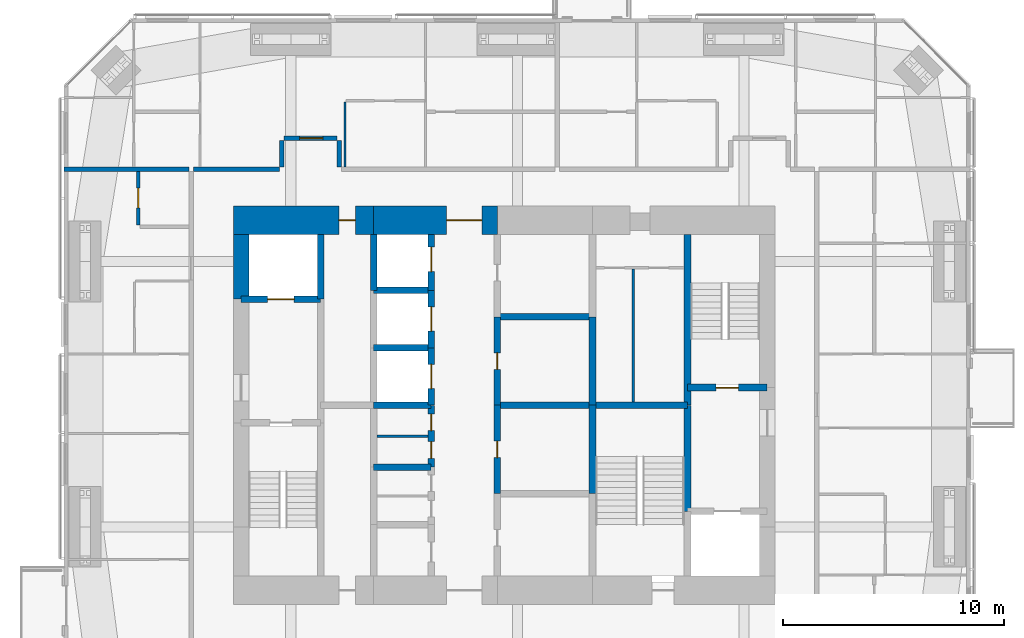
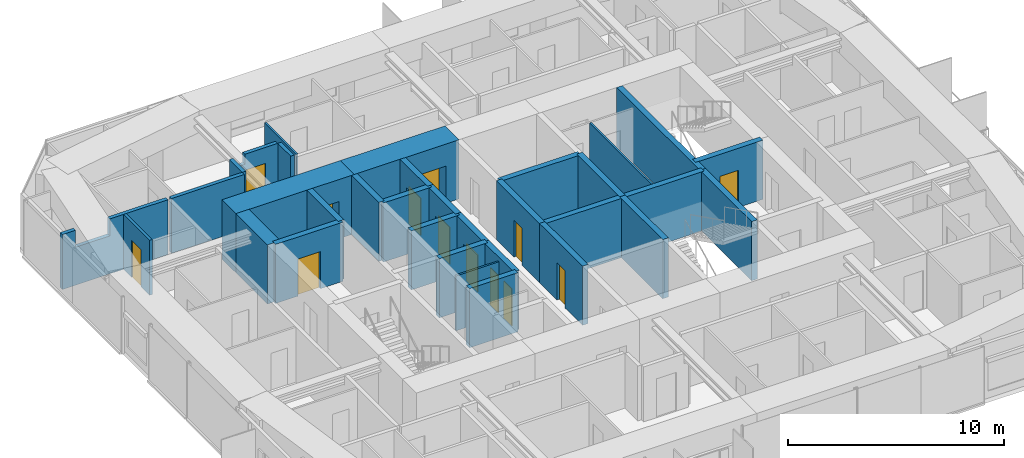
# One storey, part 18 of 23: 33 walls, 13 doors, 13 openings.
"""IFC4 building model written with IfcOpenShell, lengths in metres."""

from ifc_helpers import new_model, si_unit, direction, frame, frame_2d, origin, place, context, subcontext, project, spatial, polyline, rectangle, outline, extrude, material, layer, layer_set, constituent, constituent_set, type_object, element, fill, save


model = new_model("IFC4")

# Units and contexts
model_context = context("Model", 3, precision=1e-05, world=origin(), true_north=direction((0.0, 1.0)))
body_context = subcontext(model_context, "Body", "Model", "MODEL_VIEW")
ifc_project = project(units=[si_unit("LENGTHUNIT", "METRE"), si_unit("AREAUNIT", "SQUARE_METRE"), si_unit("VOLUMEUNIT", "CUBIC_METRE"), si_unit("PLANEANGLEUNIT", "RADIAN"), si_unit("MASSUNIT", "GRAM", prefix="KILO")], contexts=[model_context])

# Site, building, storey
site_placement = place(None, origin())
site = spatial("IfcSite", under=ifc_project, at=site_placement, CompositionType="ELEMENT")
building_placement = place(site_placement, origin())
building = spatial("IfcBuilding", under=site, at=building_placement, Name="Jalousie Tower", CompositionType="ELEMENT")
storey_placement = place(building_placement, frame((0.0, 0.0, 194.550048828125)))
storey = spatial("IfcBuildingStorey", under=building, at=storey_placement, Name="L53", CompositionType="ELEMENT", Elevation=194.550048828125)

# Wall, opening, door
ifc_material_1 = material(Name="Concrete block ASTM C90", Category="concrete")
ifc_constituent_1 = constituent(ifc_material_1, Name="Body")
ifc_material_2 = material(Name="Render")
ifc_constituent_2 = constituent(ifc_material_2, Name="Finish")
ifc_constituent_set_1 = constituent_set(constituents=[ifc_constituent_1, ifc_constituent_2])
wall_type_1 = type_object("IfcWallType", Name="BATHROOM WALL 150", PredefinedType="PLUMBINGWALL", material=ifc_constituent_set_1)
wall_1_placement = place(storey_placement, frame((15.35009765625, 26.64990234375, 0.0), z_axis=(0.0, 0.0, 1.0), x_axis=(0.0, 1.0, 0.0)))
wall_1 = element("IfcWall", 1, at=wall_1_placement, inside=storey, type_object=wall_type_1, Name="Bathroom Wall 150 L53", PredefinedType="PLUMBINGWALL", context=body_context, shape_type="SweptSolid", body=[
    extrude(rectangle(XDim=2.425048828125, YDim=0.14990234375, at=frame_2d((1.21240234375, 0.0))), origin(), (0.0, 0.0, 1.0), 3.10986328125),
])
opening_1_placement = place(wall_1_placement, frame((0.77490234375, 0.0, 0.0)))
opening_1 = element("IfcOpeningElement", 2, at=opening_1_placement, cuts=wall_1, Name="Opening D3", PredefinedType="OPENING", context=body_context, shape_type="SweptSolid", body=[
    extrude(rectangle(XDim=0.89990234375, YDim=2.10009765625, at=frame_2d((0.449951171875, 1.050048828125))), frame((0.0, 0.0849609375, 0.0), z_axis=(0.0, -1.0, 0.0), x_axis=(1.0, 0.0, 0.0)), (0.0, 0.0, 1.0), 0.169921875),
])
ifc_material_3 = material(Name="Timber door", Category="wood")
door_type_1 = type_object("IfcDoorType", Name="BATHROOM DOOR 900", OperationType="SINGLE_SWING_LEFT", PredefinedType="DOOR", material=ifc_material_3)
door_1_placement = place(opening_1_placement, frame((0.89990234375, 0.0, 0.0), z_axis=(0.0, 0.0, 1.0), x_axis=(-1.0, 0.0, 0.0)))
door_1 = element("IfcDoor", 3, at=door_1_placement, inside=storey, type_object=door_type_1, Name="Apartment 5306 bathroom door", OperationType="SINGLE_SWING_LEFT", OverallHeight=2.10009765625, OverallWidth=0.89990234375, PredefinedType="DOOR", context=body_context, shape_type="SweptSolid", body=[
    extrude(rectangle(XDim=0.89990234375, YDim=2.10009765625, at=frame_2d((0.449951171875, 1.050048828125))), frame((0.0, 0.02490234375, 0.0), z_axis=(0.0, -1.0, 0.0), x_axis=(1.0, 0.0, 0.0)), (0.0, 0.0, 1.0), 0.050048828125),
])
fill(opening_1, door_1)

ifc_material_4 = material(Name="Concrete f'c 120 MPa", Category="concrete")
ifc_layer_1 = layer(ifc_material_4, 1.300048828125)
ifc_layer_set_1 = layer_set([ifc_layer_1], Name="Concrete f'c 120 MPa")
wall_type_2 = type_object("IfcWallType", Name="CORE WALL 1300", PredefinedType="SHEAR", material=ifc_layer_set_1)
wall_2_placement = place(storey_placement, frame((31.60009765625, 26.875, 0.0), z_axis=(0.0, 0.0, 1.0), x_axis=(-1.0, 0.0, 0.0)))
wall_2 = element("IfcWall", 4, at=wall_2_placement, inside=storey, type_object=wall_type_2, Name="Core wall NC L53", PredefinedType="SHEAR", context=body_context, shape_type="SweptSolid", body=[
    extrude(rectangle(XDim=5.60009765625, YDim=1.300048828125, at=frame_2d((2.800048828125, 0.0))), origin(), (0.0, 0.0, 1.0), 3.349853515625),
])
opening_2_placement = place(wall_2_placement, frame((0.699951171875, 0.0, 0.0)))
opening_2 = element("IfcOpeningElement", 5, at=opening_2_placement, cuts=wall_2, Name="Opening D15", PredefinedType="OPENING", context=body_context, shape_type="SweptSolid", body=[
    extrude(rectangle(XDim=1.60009765625, YDim=2.10009765625, at=frame_2d((0.800048828125, 1.050048828125))), frame((0.0, 0.659912109375, 0.0), z_axis=(0.0, -1.0, 0.0), x_axis=(1.0, 0.0, 0.0)), (0.0, 0.0, 1.0), 1.320068359375),
])
ifc_material_5 = material(Name="Steel fire door", Category="steel")
door_type_2 = type_object("IfcDoorType", Name="LIFT LOBBY DOOR 1600", OperationType="DOUBLE_DOOR_SINGLE_SWING", PredefinedType="DOOR", material=ifc_material_5)
door_2_placement = place(opening_2_placement, origin())
door_2 = element("IfcDoor", 6, at=door_2_placement, inside=storey, type_object=door_type_2, Name="Lift lobby north door", OperationType="DOUBLE_DOOR_SINGLE_SWING", OverallHeight=2.10009765625, OverallWidth=1.60009765625, PredefinedType="DOOR", context=body_context, shape_type="SweptSolid", body=[
    extrude(rectangle(XDim=1.60009765625, YDim=2.10009765625, at=frame_2d((0.800048828125, 1.050048828125))), frame((0.0, 0.02490234375, 0.0), z_axis=(0.0, -1.0, 0.0), x_axis=(1.0, 0.0, 0.0)), (0.0, 0.0, 1.0), 0.050048828125),
])
fill(opening_2, door_2)

wall_3_placement = place(storey_placement, frame((26.0, 26.875, 0.0), z_axis=(0.0, 0.0, 1.0), x_axis=(-1.0, 0.0, 0.0)))
wall_3 = element("IfcWall", 7, at=wall_3_placement, inside=storey, type_object=wall_type_2, Name="Core wall ND L53", PredefinedType="SHEAR", context=body_context, shape_type="SweptSolid", body=[
    extrude(rectangle(XDim=6.35009765625, YDim=1.300048828125, at=frame_2d((3.175048828125, 0.0))), origin(), (0.0, 0.0, 1.0), 3.349853515625),
])
opening_3_placement = place(wall_3_placement, frame((0.824951171875, 0.0, 0.0)))
opening_3 = element("IfcOpeningElement", 8, at=opening_3_placement, cuts=wall_3, Name="Opening D16", PredefinedType="OPENING", context=body_context, shape_type="SweptSolid", body=[
    extrude(rectangle(XDim=0.75, YDim=2.10009765625, at=frame_2d((0.375, 1.050048828125))), frame((0.0, 0.659912109375, 0.0), z_axis=(0.0, -1.0, 0.0), x_axis=(1.0, 0.0, 0.0)), (0.0, 0.0, 1.0), 1.320068359375),
])
ifc_material_6 = material(Name="Steel fire door", Category="steel")
door_type_3 = type_object("IfcDoorType", Name="RISER DOOR 750", OperationType="SINGLE_SWING_LEFT", PredefinedType="DOOR", material=ifc_material_6)
door_3_placement = place(opening_3_placement, origin())
door_3 = element("IfcDoor", 9, at=door_3_placement, inside=storey, type_object=door_type_3, Name="North riser door", OperationType="SINGLE_SWING_RIGHT", OverallHeight=2.10009765625, OverallWidth=0.75, PredefinedType="DOOR", context=body_context, shape_type="SweptSolid", body=[
    extrude(rectangle(XDim=0.75, YDim=2.10009765625, at=frame_2d((0.375, 1.050048828125))), frame((0.0, 0.02490234375, 0.0), z_axis=(0.0, -1.0, 0.0), x_axis=(1.0, 0.0, 0.0)), (0.0, 0.0, 1.0), 0.050048828125),
])
fill(opening_3, door_3)

# Walls
ifc_material_7 = material(Name="Concrete f'c 120 MPa", Category="concrete")
ifc_layer_2 = layer(ifc_material_7, 0.300048828125)
ifc_layer_set_2 = layer_set([ifc_layer_2], Name="Concrete f'c 120 MPa")
wall_type_3 = type_object("IfcWallType", Name="CORE WALL 300", PredefinedType="SHEAR", material=ifc_layer_set_2)
wall_4_placement = place(storey_placement, frame((23.60009765625, 23.300048828125, 0.0), z_axis=(0.0, 0.0, 1.0), x_axis=(0.0, 1.0, 0.0)))
element("IfcWall", 10, at=wall_4_placement, inside=storey, type_object=wall_type_3, Name="Core wall X23.6C L53", PredefinedType="SHEAR", context=body_context, shape_type="SweptSolid", body=[
    extrude(rectangle(XDim=2.925048828125, YDim=0.300048828125, at=frame_2d((1.46240234375, 0.0))), origin(), (0.0, 0.0, 1.0), 3.349853515625),
])
wall_5_placement = place(storey_placement, frame((26.0, 23.699951171875, 0.0), z_axis=(0.0, 0.0, 1.0), x_axis=(0.0, 1.0, 0.0)))
element("IfcWall", 11, at=wall_5_placement, inside=storey, type_object=wall_type_3, Name="Core wall X26F L53", PredefinedType="SHEAR", context=body_context, shape_type="SweptSolid", body=[
    extrude(rectangle(XDim=2.525146484375, YDim=0.300048828125, at=frame_2d((1.2626953125, 0.0))), origin(), (0.0, 0.0, 1.0), 3.349853515625),
])

# Wall, openings, doors
wall_6_placement = place(storey_placement, frame((28.60009765625, 15.699951171875, 0.0), z_axis=(0.0, 0.0, 1.0), x_axis=(0.0, 1.0, 0.0)))
wall_6 = element("IfcWall", 12, at=wall_6_placement, inside=storey, type_object=wall_type_3, Name="Core wall X28.6C L53", PredefinedType="SHEAR", context=body_context, shape_type="SweptSolid", body=[
    extrude(rectangle(XDim=2.800048828125, YDim=0.300048828125, at=frame_2d((1.39990234375, 0.0))), origin(), (0.0, 0.0, 1.0), 3.349853515625),
])
opening_4_placement = place(wall_6_placement, frame((0.39990234375, 0.0, 0.0)))
opening_4 = element("IfcOpeningElement", 13, at=opening_4_placement, cuts=wall_6, Name="Opening D27", PredefinedType="OPENING", context=body_context, shape_type="SweptSolid", body=[
    extrude(rectangle(XDim=0.75, YDim=2.10009765625, at=frame_2d((0.375, 1.050048828125))), frame((0.0, 0.159912109375, 0.0), z_axis=(0.0, -1.0, 0.0), x_axis=(1.0, 0.0, 0.0)), (0.0, 0.0, 1.0), 0.320068359375),
])
opening_5_placement = place(wall_6_placement, frame((1.64990234375, 0.0, 0.0)))
opening_5 = element("IfcOpeningElement", 14, at=opening_5_placement, cuts=wall_6, Name="Opening D27", PredefinedType="OPENING", context=body_context, shape_type="SweptSolid", body=[
    extrude(rectangle(XDim=0.75, YDim=2.10009765625, at=frame_2d((0.375, 1.050048828125))), frame((0.0, 0.159912109375, 0.0), z_axis=(0.0, -1.0, 0.0), x_axis=(1.0, 0.0, 0.0)), (0.0, 0.0, 1.0), 0.320068359375),
])
ifc_material_8 = material(Name="Steel fire door", Category="steel")
door_type_4 = type_object("IfcDoorType", Name="CORE ROOM DOOR 750", OperationType="SINGLE_SWING_LEFT", PredefinedType="DOOR", material=ifc_material_8)
door_4_placement = place(opening_4_placement, origin())
door_4 = element("IfcDoor", 15, at=door_4_placement, inside=storey, type_object=door_type_4, Name="Linen store door", OperationType="SINGLE_SWING_RIGHT", OverallHeight=2.10009765625, OverallWidth=0.75, PredefinedType="DOOR", context=body_context, shape_type="SweptSolid", body=[
    extrude(rectangle(XDim=0.75, YDim=2.10009765625, at=frame_2d((0.375, 1.050048828125))), frame((0.0, 0.02490234375, 0.0), z_axis=(0.0, -1.0, 0.0), x_axis=(1.0, 0.0, 0.0)), (0.0, 0.0, 1.0), 0.050048828125),
])
fill(opening_4, door_4)
door_5_placement = place(opening_5_placement, origin())
door_5 = element("IfcDoor", 16, at=door_5_placement, inside=storey, type_object=door_type_4, Name="Staff WC door", OperationType="SINGLE_SWING_LEFT", OverallHeight=2.10009765625, OverallWidth=0.75, PredefinedType="DOOR", context=body_context, shape_type="SweptSolid", body=[
    extrude(rectangle(XDim=0.75, YDim=2.10009765625, at=frame_2d((0.375, 1.050048828125))), frame((0.0, 0.02490234375, 0.0), z_axis=(0.0, -1.0, 0.0), x_axis=(1.0, 0.0, 0.0)), (0.0, 0.0, 1.0), 0.050048828125),
])
fill(opening_5, door_5)

# Wall, opening, door
wall_7_placement = place(storey_placement, frame((28.60009765625, 18.5, 0.0), z_axis=(0.0, 0.0, 1.0), x_axis=(0.0, 1.0, 0.0)))
wall_7 = element("IfcWall", 17, at=wall_7_placement, inside=storey, type_object=wall_type_3, Name="Core wall X28.6D L53", PredefinedType="SHEAR", context=body_context, shape_type="SweptSolid", body=[
    extrude(rectangle(XDim=2.60009765625, YDim=0.300048828125, at=frame_2d((1.300048828125, 0.0))), origin(), (0.0, 0.0, 1.0), 3.349853515625),
])
opening_6_placement = place(wall_7_placement, frame((0.75, 0.0, 0.0)))
opening_6 = element("IfcOpeningElement", 18, at=opening_6_placement, cuts=wall_7, Name="Opening LD1", PredefinedType="OPENING", context=body_context, shape_type="SweptSolid", body=[
    extrude(rectangle(XDim=1.10009765625, YDim=2.10009765625, at=frame_2d((0.550048828125, 1.050048828125))), frame((0.0, 0.159912109375, 0.0), z_axis=(0.0, -1.0, 0.0), x_axis=(1.0, 0.0, 0.0)), (0.0, 0.0, 1.0), 0.320068359375),
])
ifc_material_9 = material(Name="Steel lift landing door", Category="steel")
door_type_5 = type_object("IfcDoorType", Name="LIFT LANDING DOOR 1100", OperationType="SLIDING_TO_LEFT", PredefinedType="DOOR", material=ifc_material_9)
door_6_placement = place(opening_6_placement, origin())
door_6 = element("IfcDoor", 19, at=door_6_placement, inside=storey, type_object=door_type_5, Name="Lift P4 landing door", OperationType="SLIDING_TO_LEFT", OverallHeight=2.10009765625, OverallWidth=1.10009765625, PredefinedType="DOOR", context=body_context, shape_type="SweptSolid", body=[
    extrude(rectangle(XDim=1.10009765625, YDim=2.10009765625, at=frame_2d((0.550048828125, 1.050048828125))), frame((0.0, 0.02490234375, 0.0), z_axis=(0.0, -1.0, 0.0), x_axis=(1.0, 0.0, 0.0)), (0.0, 0.0, 1.0), 0.050048828125),
])
fill(opening_6, door_6)

wall_8_placement = place(storey_placement, frame((28.60009765625, 21.10009765625, 0.0), z_axis=(0.0, 0.0, 1.0), x_axis=(0.0, 1.0, 0.0)))
wall_8 = element("IfcWall", 20, at=wall_8_placement, inside=storey, type_object=wall_type_3, Name="Core wall X28.6E L53", PredefinedType="SHEAR", context=body_context, shape_type="SweptSolid", body=[
    extrude(rectangle(XDim=2.599853515625, YDim=0.300048828125, at=frame_2d((1.2998046875, 0.0))), origin(), (0.0, 0.0, 1.0), 3.349853515625),
])
opening_7_placement = place(wall_8_placement, frame((0.75, 0.0, 0.0)))
opening_7 = element("IfcOpeningElement", 21, at=opening_7_placement, cuts=wall_8, Name="Opening LD1", PredefinedType="OPENING", context=body_context, shape_type="SweptSolid", body=[
    extrude(rectangle(XDim=1.10009765625, YDim=2.10009765625, at=frame_2d((0.550048828125, 1.050048828125))), frame((0.0, 0.159912109375, 0.0), z_axis=(0.0, -1.0, 0.0), x_axis=(1.0, 0.0, 0.0)), (0.0, 0.0, 1.0), 0.320068359375),
])
door_7_placement = place(opening_7_placement, origin())
door_7 = element("IfcDoor", 22, at=door_7_placement, inside=storey, type_object=door_type_5, Name="Lift P5 landing door", OperationType="SLIDING_TO_LEFT", OverallHeight=2.10009765625, OverallWidth=1.10009765625, PredefinedType="DOOR", context=body_context, shape_type="SweptSolid", body=[
    extrude(rectangle(XDim=1.10009765625, YDim=2.10009765625, at=frame_2d((0.550048828125, 1.050048828125))), frame((0.0, 0.02490234375, 0.0), z_axis=(0.0, -1.0, 0.0), x_axis=(1.0, 0.0, 0.0)), (0.0, 0.0, 1.0), 0.050048828125),
])
fill(opening_7, door_7)

wall_9_placement = place(storey_placement, frame((28.60009765625, 23.699951171875, 0.0), z_axis=(0.0, 0.0, 1.0), x_axis=(0.0, 1.0, 0.0)))
wall_9 = element("IfcWall", 23, at=wall_9_placement, inside=storey, type_object=wall_type_3, Name="Core wall X28.6F L53", PredefinedType="SHEAR", context=body_context, shape_type="SweptSolid", body=[
    extrude(rectangle(XDim=2.525146484375, YDim=0.300048828125, at=frame_2d((1.2626953125, 0.0))), origin(), (0.0, 0.0, 1.0), 3.349853515625),
])
opening_8_placement = place(wall_9_placement, frame((0.85009765625, 0.0, 0.0)))
opening_8 = element("IfcOpeningElement", 24, at=opening_8_placement, cuts=wall_9, Name="Opening LD1", PredefinedType="OPENING", context=body_context, shape_type="SweptSolid", body=[
    extrude(rectangle(XDim=1.10009765625, YDim=2.10009765625, at=frame_2d((0.550048828125, 1.050048828125))), frame((0.0, 0.159912109375, 0.0), z_axis=(0.0, -1.0, 0.0), x_axis=(1.0, 0.0, 0.0)), (0.0, 0.0, 1.0), 0.320068359375),
])
door_8_placement = place(opening_8_placement, origin())
door_8 = element("IfcDoor", 25, at=door_8_placement, inside=storey, type_object=door_type_5, Name="Lift P6 landing door", OperationType="SLIDING_TO_LEFT", OverallHeight=2.10009765625, OverallWidth=1.10009765625, PredefinedType="DOOR", context=body_context, shape_type="SweptSolid", body=[
    extrude(rectangle(XDim=1.10009765625, YDim=2.10009765625, at=frame_2d((0.550048828125, 1.050048828125))), frame((0.0, 0.02490234375, 0.0), z_axis=(0.0, -1.0, 0.0), x_axis=(1.0, 0.0, 0.0)), (0.0, 0.0, 1.0), 0.050048828125),
])
fill(opening_8, door_8)

wall_10_placement = place(storey_placement, frame((31.60009765625, 14.5, 0.0), z_axis=(0.0, 0.0, 1.0), x_axis=(0.0, 1.0, 0.0)))
wall_10 = element("IfcWall", 26, at=wall_10_placement, inside=storey, type_object=wall_type_3, Name="Core wall X31.6B L53", PredefinedType="SHEAR", context=body_context, shape_type="SweptSolid", body=[
    extrude(rectangle(XDim=4.0, YDim=0.300048828125, at=frame_2d((2.0, 0.0))), origin(), (0.0, 0.0, 1.0), 3.349853515625),
])
opening_9_placement = place(wall_10_placement, frame((1.625, 0.0, 0.0)))
opening_9 = element("IfcOpeningElement", 27, at=opening_9_placement, cuts=wall_10, Name="Opening D16", PredefinedType="OPENING", context=body_context, shape_type="SweptSolid", body=[
    extrude(rectangle(XDim=0.75, YDim=2.10009765625, at=frame_2d((0.375, 1.050048828125))), frame((0.0, 0.159912109375, 0.0), z_axis=(0.0, -1.0, 0.0), x_axis=(1.0, 0.0, 0.0)), (0.0, 0.0, 1.0), 0.320068359375),
])
door_9_placement = place(opening_9_placement, frame((0.75, 0.0, 0.0), z_axis=(0.0, 0.0, 1.0), x_axis=(-1.0, 0.0, 0.0)))
door_9 = element("IfcDoor", 28, at=door_9_placement, inside=storey, type_object=door_type_3, Name="Electrical Room door", OperationType="SINGLE_SWING_RIGHT", OverallHeight=2.10009765625, OverallWidth=0.75, PredefinedType="DOOR", context=body_context, shape_type="SweptSolid", body=[
    extrude(rectangle(XDim=0.75, YDim=2.10009765625, at=frame_2d((0.375, 1.050048828125))), frame((0.0, 0.02490234375, 0.0), z_axis=(0.0, -1.0, 0.0), x_axis=(1.0, 0.0, 0.0)), (0.0, 0.0, 1.0), 0.050048828125),
])
fill(opening_9, door_9)

wall_11_placement = place(storey_placement, frame((31.60009765625, 18.5, 0.0), z_axis=(0.0, 0.0, 1.0), x_axis=(0.0, 1.0, 0.0)))
wall_11 = element("IfcWall", 29, at=wall_11_placement, inside=storey, type_object=wall_type_3, Name="Core wall X31.6C L53", PredefinedType="SHEAR", context=body_context, shape_type="SweptSolid", body=[
    extrude(rectangle(XDim=4.0, YDim=0.300048828125, at=frame_2d((2.0, 0.0))), origin(), (0.0, 0.0, 1.0), 3.349853515625),
])
opening_10_placement = place(wall_11_placement, frame((1.625, 0.0, 0.0)))
opening_10 = element("IfcOpeningElement", 30, at=opening_10_placement, cuts=wall_11, Name="Opening D16", PredefinedType="OPENING", context=body_context, shape_type="SweptSolid", body=[
    extrude(rectangle(XDim=0.75, YDim=2.10009765625, at=frame_2d((0.375, 1.050048828125))), frame((0.0, 0.159912109375, 0.0), z_axis=(0.0, -1.0, 0.0), x_axis=(1.0, 0.0, 0.0)), (0.0, 0.0, 1.0), 0.320068359375),
])
door_10_placement = place(opening_10_placement, frame((0.75, 0.0, 0.0), z_axis=(0.0, 0.0, 1.0), x_axis=(-1.0, 0.0, 0.0)))
door_10 = element("IfcDoor", 31, at=door_10_placement, inside=storey, type_object=door_type_3, Name="Telecom Room door", OperationType="SINGLE_SWING_RIGHT", OverallHeight=2.10009765625, OverallWidth=0.75, PredefinedType="DOOR", context=body_context, shape_type="SweptSolid", body=[
    extrude(rectangle(XDim=0.75, YDim=2.10009765625, at=frame_2d((0.375, 1.050048828125))), frame((0.0, 0.02490234375, 0.0), z_axis=(0.0, -1.0, 0.0), x_axis=(1.0, 0.0, 0.0)), (0.0, 0.0, 1.0), 0.050048828125),
])
fill(opening_10, door_10)

# Walls
for number, where, z_axis, x_axis, name in (
    (32, (35.89990234375, 14.5, 0.0), (0.0, 0.0, 1.0), (0.0, 1.0, 0.0), "Core wall X35.9B L53"),
    (33, (35.89990234375, 18.5, 0.0), (0.0, 0.0, 1.0), (0.0, 1.0, 0.0), "Core wall X35.9C L53"),
):
    element("IfcWall", number, at=place(storey_placement, frame(where, z_axis=z_axis, x_axis=x_axis)), inside=storey, type_object=wall_type_3, Name=name, PredefinedType="SHEAR", context=body_context, shape_type="SweptSolid", body=[
        extrude(rectangle(XDim=4.0, YDim=0.300048828125, at=frame_2d((2.0, 0.0))), origin(), (0.0, 0.0, 1.0), 3.349853515625),
    ])
wall_12_placement = place(storey_placement, frame((40.199951171875, 13.699951171875, 0.0), z_axis=(0.0, 0.0, 1.0), x_axis=(0.0, 1.0, 0.0)))
element("IfcWall", 34, at=wall_12_placement, inside=storey, type_object=wall_type_3, Name="Core wall X40.2B L53", PredefinedType="SHEAR", context=body_context, shape_type="SweptSolid", body=[
    extrude(rectangle(XDim=4.800048828125, YDim=0.300048828125, at=frame_2d((2.39990234375, 0.0))), origin(), (0.0, 0.0, 1.0), 3.349853515625),
])
wall_13_placement = place(storey_placement, frame((40.199951171875, 18.5, 0.0), z_axis=(0.0, 0.0, 1.0), x_axis=(0.0, 1.0, 0.0)))
element("IfcWall", 35, at=wall_13_placement, inside=storey, type_object=wall_type_3, Name="Core wall X40.2C L53", PredefinedType="SHEAR", context=body_context, shape_type="SweptSolid", body=[
    extrude(rectangle(XDim=7.72509765625, YDim=0.300048828125, at=frame_2d((3.862548828125, 0.0))), origin(), (0.0, 0.0, 1.0), 3.349853515625),
])

# Wall, opening, door
wall_14_placement = place(storey_placement, frame((20.0, 23.300048828125, 0.0), z_axis=(0.0, 0.0, 1.0), x_axis=(1.0, 0.0, 0.0)))
wall_14 = element("IfcWall", 36, at=wall_14_placement, inside=storey, type_object=wall_type_3, Name="Core wall Y20-23.3 L53", PredefinedType="SHEAR", context=body_context, shape_type="SweptSolid", body=[
    extrude(rectangle(XDim=3.60009765625, YDim=0.300048828125, at=frame_2d((1.800048828125, 0.0))), origin(), (0.0, 0.0, 1.0), 3.349853515625),
])
opening_11_placement = place(wall_14_placement, frame((1.199951171875, 0.0, 0.0)))
opening_11 = element("IfcOpeningElement", 37, at=opening_11_placement, cuts=wall_14, Name="Opening LD2", PredefinedType="OPENING", context=body_context, shape_type="SweptSolid", body=[
    extrude(rectangle(XDim=1.199951171875, YDim=2.10009765625, at=frame_2d((0.60009765625, 1.050048828125))), frame((0.0, 0.159912109375, 0.0), z_axis=(0.0, -1.0, 0.0), x_axis=(1.0, 0.0, 0.0)), (0.0, 0.0, 1.0), 0.320068359375),
])
ifc_material_10 = material(Name="Steel lift landing door", Category="steel")
door_type_6 = type_object("IfcDoorType", Name="LIFT LANDING DOOR 1200", OperationType="SLIDING_TO_LEFT", PredefinedType="DOOR", material=ifc_material_10)
door_11_placement = place(opening_11_placement, origin())
door_11 = element("IfcDoor", 38, at=door_11_placement, inside=storey, type_object=door_type_6, Name="Lift F1 landing door", OperationType="SLIDING_TO_LEFT", OverallHeight=2.10009765625, OverallWidth=1.199951171875, PredefinedType="DOOR", context=body_context, shape_type="SweptSolid", body=[
    extrude(rectangle(XDim=1.199951171875, YDim=2.10009765625, at=frame_2d((0.60009765625, 1.050048828125))), frame((0.0, 0.02490234375, 0.0), z_axis=(0.0, -1.0, 0.0), x_axis=(1.0, 0.0, 0.0)), (0.0, 0.0, 1.0), 0.050048828125),
])
fill(opening_11, door_11)

# Walls
for number, where, z_axis, x_axis, name in (
    (39, (26.0, 15.699951171875, 0.0), (0.0, 0.0, 1.0), (1.0, 0.0, 0.0), "Core wall Y26-15.7 L53"),
    (40, (26.0, 18.5, 0.0), (0.0, 0.0, 1.0), (1.0, 0.0, 0.0), "Core wall Y26-18.5 L53"),
    (41, (26.0, 21.10009765625, 0.0), (0.0, 0.0, 1.0), (1.0, 0.0, 0.0), "Core wall Y26-21.1 L53"),
    (42, (26.0, 23.699951171875, 0.0), (0.0, 0.0, 1.0), (1.0, 0.0, 0.0), "Core wall Y26-23.7 L53"),
):
    element("IfcWall", number, at=place(storey_placement, frame(where, z_axis=z_axis, x_axis=x_axis)), inside=storey, type_object=wall_type_3, Name=name, PredefinedType="SHEAR", context=body_context, shape_type="SweptSolid", body=[
        extrude(rectangle(XDim=2.60009765625, YDim=0.300048828125, at=frame_2d((1.300048828125, 0.0))), origin(), (0.0, 0.0, 1.0), 3.349853515625),
    ])
for number, where, z_axis, x_axis, name in (
    (43, (31.60009765625, 18.5, 0.0), (0.0, 0.0, 1.0), (1.0, 0.0, 0.0), "Core wall Y31.6-18.5 L53"),
    (44, (31.60009765625, 22.5, 0.0), (0.0, 0.0, 1.0), (1.0, 0.0, 0.0), "Core wall Y31.6-22.5 L53"),
):
    element("IfcWall", number, at=place(storey_placement, frame(where, z_axis=z_axis, x_axis=x_axis)), inside=storey, type_object=wall_type_3, Name=name, PredefinedType="SHEAR", context=body_context, shape_type="SweptSolid", body=[
        extrude(rectangle(XDim=4.2998046875, YDim=0.300048828125, at=frame_2d((2.14990234375, 0.0))), origin(), (0.0, 0.0, 1.0), 3.349853515625),
    ])
wall_15_placement = place(storey_placement, frame((35.89990234375, 18.5, 0.0), z_axis=(0.0, 0.0, 1.0), x_axis=(1.0, 0.0, 0.0)))
element("IfcWall", 45, at=wall_15_placement, inside=storey, type_object=wall_type_3, Name="Core wall Y35.9-18.5 L53", PredefinedType="SHEAR", context=body_context, shape_type="SweptSolid", body=[
    extrude(rectangle(XDim=4.300048828125, YDim=0.300048828125, at=frame_2d((2.14990234375, 0.0))), origin(), (0.0, 0.0, 1.0), 3.349853515625),
])

# Wall, opening, door
wall_16_placement = place(storey_placement, frame((40.199951171875, 19.300048828125, 0.0), z_axis=(0.0, 0.0, 1.0), x_axis=(1.0, 0.0, 0.0)))
wall_16 = element("IfcWall", 46, at=wall_16_placement, inside=storey, type_object=wall_type_3, Name="Core wall Y40.2-19.3 L53", PredefinedType="SHEAR", context=body_context, shape_type="SweptSolid", body=[
    extrude(rectangle(XDim=3.60009765625, YDim=0.300048828125, at=frame_2d((1.800048828125, 0.0))), origin(), (0.0, 0.0, 1.0), 3.349853515625),
])
opening_12_placement = place(wall_16_placement, frame((1.300048828125, 0.0, 0.0)))
opening_12 = element("IfcOpeningElement", 47, at=opening_12_placement, cuts=wall_16, Name="Opening D10", PredefinedType="OPENING", context=body_context, shape_type="SweptSolid", body=[
    extrude(rectangle(XDim=1.0, YDim=2.10009765625, at=frame_2d((0.5, 1.050048828125))), frame((0.0, 0.159912109375, 0.0), z_axis=(0.0, -1.0, 0.0), x_axis=(1.0, 0.0, 0.0)), (0.0, 0.0, 1.0), 0.320068359375),
])
ifc_material_11 = material(Name="Steel fire door", Category="steel")
door_type_7 = type_object("IfcDoorType", Name="STAIR DOOR 1000", OperationType="SINGLE_SWING_LEFT", PredefinedType="DOOR", material=ifc_material_11)
door_12_placement = place(opening_12_placement, origin())
door_12 = element("IfcDoor", 48, at=door_12_placement, inside=storey, type_object=door_type_7, Name="Exit stair B door", OperationType="SINGLE_SWING_RIGHT", OverallHeight=2.10009765625, OverallWidth=1.0, PredefinedType="DOOR", context=body_context, shape_type="SweptSolid", body=[
    extrude(rectangle(XDim=1.0, YDim=2.10009765625, at=frame_2d((0.5, 1.050048828125))), frame((0.0, 0.02490234375, 0.0), z_axis=(0.0, -1.0, 0.0), x_axis=(1.0, 0.0, 0.0)), (0.0, 0.0, 1.0), 0.050048828125),
])
fill(opening_12, door_12)

# Walls
ifc_material_12 = material(Name="Concrete f'c 120 MPa", Category="concrete")
ifc_layer_3 = layer(ifc_material_12, 0.699951171875)
ifc_layer_set_3 = layer_set([ifc_layer_3], Name="Concrete f'c 120 MPa")
wall_type_4 = type_object("IfcWallType", Name="CORE WALL 700", PredefinedType="SHEAR", material=ifc_layer_set_3)
wall_17_placement = place(storey_placement, frame((20.0, 26.22509765625, 0.0), z_axis=(0.0, 0.0, 1.0), x_axis=(0.0, -1.0, 0.0)))
element("IfcWall", 49, at=wall_17_placement, inside=storey, type_object=wall_type_4, Name="Core wall WA L53", PredefinedType="SHEAR", context=body_context, shape_type="SweptSolid", body=[
    extrude(rectangle(XDim=2.925048828125, YDim=0.699951171875, at=frame_2d((1.46240234375, 0.0))), origin(), (0.0, 0.0, 1.0), 3.349853515625),
])
ifc_material_13 = material(Name="Concrete block ASTM C90", Category="concrete")
ifc_constituent_3 = constituent(ifc_material_13, Name="Body")
ifc_material_14 = material(Name="Render")
ifc_constituent_4 = constituent(ifc_material_14, Name="Finish")
ifc_constituent_set_2 = constituent_set(constituents=[ifc_constituent_3, ifc_constituent_4])
wall_type_5 = type_object("IfcWallType", Name="CORRIDOR WALL 200", PredefinedType="PARTITIONING", material=ifc_constituent_set_2)
wall_18_placement = place(storey_placement, frame((17.85009765625, 29.175048828125, 0.0), z_axis=(0.0, 0.0, 1.0), x_axis=(1.0, 0.0, 0.0)))
element("IfcWall", 50, at=wall_18_placement, inside=storey, type_object=wall_type_5, Name="Corridor Wall 200 L53", PredefinedType="PARTITIONING", context=body_context, shape_type="SweptSolid", body=[
    extrude(rectangle(XDim=3.89990234375, YDim=0.199951171875, at=frame_2d((1.949951171875, 0.0))), origin(), (0.0, 0.0, 1.0), 3.10986328125),
])

# Wall, opening, door
wall_19_placement = place(storey_placement, frame((21.949951171875, 30.574951171875, 0.0), z_axis=(0.0, 0.0, 1.0), x_axis=(1.0, 0.0, 0.0)))
wall_19 = element("IfcWall", 51, at=wall_19_placement, inside=storey, type_object=wall_type_5, Name="Corridor Wall 200 L53", PredefinedType="PARTITIONING", context=body_context, shape_type="SweptSolid", body=[
    extrude(outline(polyline([(0.0, 0.0), (2.400146484375, 0.0), (2.39990234375, 3.10986328125), (0.63720703125, 3.10986328125), (0.63720703125, 2.541015625), (0.0, 2.541015625), (0.0, 3.10986328125), (0.0, 0.0)])), frame((0.0, 0.10009765625, 0.0), z_axis=(0.0, -1.0, 0.0), x_axis=(1.0, 0.0, 0.0)), (0.0, 0.0, 1.0), 0.199951171875),
])
opening_13_placement = place(wall_19_placement, frame((0.699951171875, 0.0, 0.0)))
opening_13 = element("IfcOpeningElement", 52, at=opening_13_placement, cuts=wall_19, Name="Opening D1", PredefinedType="OPENING", context=body_context, shape_type="SweptSolid", body=[
    extrude(rectangle(XDim=1.050048828125, YDim=2.199951171875, at=frame_2d((0.52490234375, 1.10009765625))), frame((0.0, 0.10986328125, 0.0), z_axis=(0.0, -1.0, 0.0), x_axis=(1.0, 0.0, 0.0)), (0.0, 0.0, 1.0), 0.219970703125),
])
ifc_material_15 = material(Name="Timber fire door", Category="wood")
door_type_8 = type_object("IfcDoorType", Name="APARTMENT ENTRANCE DOOR 1050", OperationType="SINGLE_SWING_LEFT", PredefinedType="DOOR", material=ifc_material_15)
door_13_placement = place(opening_13_placement, origin())
door_13 = element("IfcDoor", 53, at=door_13_placement, inside=storey, type_object=door_type_8, Name="Apartment 5304 entrance", OperationType="SINGLE_SWING_RIGHT", OverallHeight=2.199951171875, OverallWidth=1.050048828125, PredefinedType="DOOR", context=body_context, shape_type="SweptSolid", body=[
    extrude(rectangle(XDim=1.050048828125, YDim=2.199951171875, at=frame_2d((0.52490234375, 1.10009765625))), frame((0.0, 0.02490234375, 0.0), z_axis=(0.0, -1.0, 0.0), x_axis=(1.0, 0.0, 0.0)), (0.0, 0.0, 1.0), 0.050048828125),
])
fill(opening_13, door_13)

# Walls
for number, where, z_axis, x_axis, name in (
    (54, (21.85009765625, 29.27490234375, 0.0), (0.0, 0.0, 1.0), (0.0, 1.0, 0.0), "Corridor Wall 200 L53"),
    (55, (24.449951171875, 29.27490234375, 0.0), (0.0, 0.0, 1.0), (0.0, 1.0, 0.0), "Corridor Wall 200 L53"),
):
    element("IfcWall", number, at=place(storey_placement, frame(where, z_axis=z_axis, x_axis=x_axis)), inside=storey, type_object=wall_type_5, Name=name, PredefinedType="PARTITIONING", context=body_context, shape_type="SweptSolid", body=[
        extrude(rectangle(XDim=1.2001953125, YDim=0.199951171875, at=frame_2d((0.60009765625, 0.0))), origin(), (0.0, 0.0, 1.0), 3.10986328125),
    ])
ifc_material_16 = material(Name="Gypsum board", Category="gypsum")
ifc_constituent_5 = constituent(ifc_material_16, Name="Body")
ifc_material_17 = material(Name="Light-gauge steel studs ASTM A653 SS Grade 33", Category="steel")
ifc_constituent_6 = constituent(ifc_material_17, Name="Framing")
ifc_constituent_set_3 = constituent_set(constituents=[ifc_constituent_5, ifc_constituent_6])
wall_type_6 = type_object("IfcWallType", Name="PARTITION 100", PredefinedType="PARTITIONING", material=ifc_constituent_set_3)
wall_20_placement = place(storey_placement, frame((24.699951171875, 32.22509765625, 0.0), z_axis=(0.0, 0.0, 1.0), x_axis=(0.0, -1.0, 0.0)))
element("IfcWall", 56, at=wall_20_placement, inside=storey, type_object=wall_type_6, Name="Partition 100 L53", PredefinedType="PARTITIONING", context=body_context, shape_type="SweptSolid", body=[
    extrude(rectangle(XDim=2.9501953125, YDim=0.10009765625, at=frame_2d((1.47509765625, 0.0))), origin(), (0.0, 0.0, 1.0), 3.10986328125),
])
wall_21_placement = place(storey_placement, frame((37.75, 18.64990234375, 0.0), z_axis=(0.0, 0.0, 1.0), x_axis=(0.0, 1.0, 0.0)))
element("IfcWall", 57, at=wall_21_placement, inside=storey, type_object=wall_type_6, Name="Partition 100 L53", PredefinedType="PARTITIONING", context=body_context, shape_type="SweptSolid", body=[
    extrude(rectangle(XDim=6.025146484375, YDim=0.10009765625, at=frame_2d((3.0126953125, 0.0))), origin(), (0.0, 0.0, 1.0), 3.10986328125),
])
wall_22_placement = place(storey_placement, frame((26.14990234375, 17.10009765625, 0.0), z_axis=(0.0, 0.0, 1.0), x_axis=(1.0, 0.0, 0.0)))
element("IfcWall", 58, at=wall_22_placement, inside=storey, type_object=wall_type_6, Name="Partition 100 L53", PredefinedType="PARTITIONING", context=body_context, shape_type="SweptSolid", body=[
    extrude(rectangle(XDim=2.300048828125, YDim=0.10009765625, at=frame_2d((1.14990234375, 0.0))), origin(), (0.0, 0.0, 1.0), 3.10986328125),
])
ifc_material_18 = material(Name="Concrete block ASTM C90", Category="concrete")
ifc_constituent_7 = constituent(ifc_material_18, Name="Body")
ifc_material_19 = material(Name="Render")
ifc_constituent_8 = constituent(ifc_material_19, Name="Finish")
ifc_constituent_set_4 = constituent_set(constituents=[ifc_constituent_7, ifc_constituent_8])
wall_type_7 = type_object("IfcWallType", Name="PARTY WALL 200", PredefinedType="PARTITIONING", material=ifc_constituent_set_4)
wall_23_placement = place(storey_placement, frame((12.0, 29.175048828125, 0.0), z_axis=(0.0, 0.0, 1.0), x_axis=(1.0, 0.0, 0.0)))
element("IfcWall", 59, at=wall_23_placement, inside=storey, type_object=wall_type_7, Name="Party Wall 200 L53", PredefinedType="PARTITIONING", context=body_context, shape_type="SweptSolid", body=[
    extrude(outline(polyline([(0.0, 0.0), (5.64990234375, 0.0), (5.64990234375, 3.10986328125), (2.546630859375, 3.10986328125), (2.546630859375, 2.14990234375), (0.703125, 2.14990234375), (0.703125, 3.10986328125), (0.0, 3.10986328125), (0.0, 0.0)])), frame((0.0, 0.10009765625, 0.0), z_axis=(0.0, -1.0, 0.0), x_axis=(1.0, 0.0, 0.0)), (0.0, 0.0, 1.0), 0.199951171875),
])

save(model, "model.ifc")
